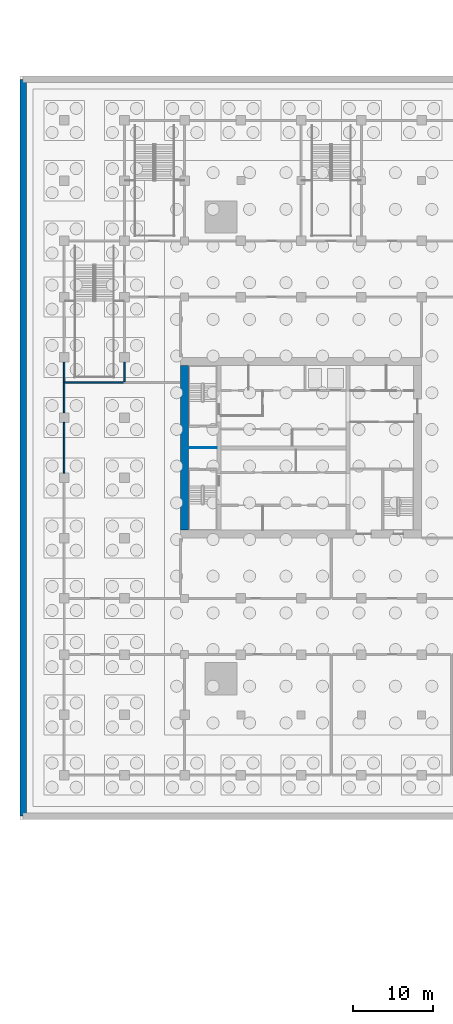
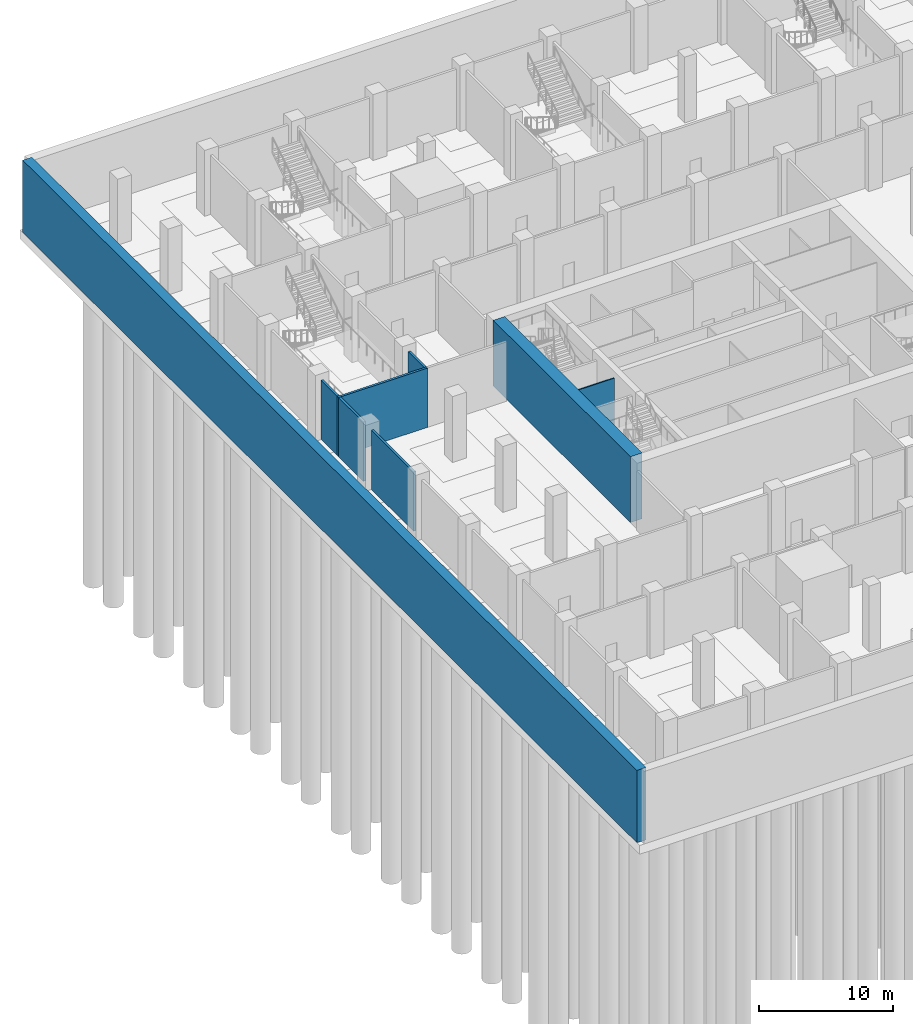
# One storey, part 9 of 39: 8 walls.
"""IFC4 building model written with IfcOpenShell, lengths in metres."""

from ifc_helpers import new_model, si_unit, direction, frame, frame_2d, origin, place, context, subcontext, project, spatial, rectangle, extrude, material, layer, layer_set, type_object, element, save


model = new_model("IFC4")

# Units and contexts
model_context = context("Model", 3, precision=1e-05, world=origin(), true_north=direction((0.0, 1.0)))
body_context = subcontext(model_context, "Body", "Model", "MODEL_VIEW")
ifc_project = project(units=[si_unit("LENGTHUNIT", "METRE"), si_unit("AREAUNIT", "SQUARE_METRE"), si_unit("VOLUMEUNIT", "CUBIC_METRE"), si_unit("PLANEANGLEUNIT", "RADIAN"), si_unit("MASSUNIT", "GRAM", prefix="KILO")], contexts=[model_context])

# Site, building, storey
site_placement = place(None, origin())
site = spatial("IfcSite", under=ifc_project, at=site_placement, CompositionType="ELEMENT")
building_placement = place(site_placement, origin())
building = spatial("IfcBuilding", under=site, at=building_placement, Name="Tamorin Gate", CompositionType="ELEMENT")
storey_placement = place(building_placement, frame((0.0, 0.0, -12.0)))
storey = spatial("IfcBuildingStorey", under=building, at=storey_placement, Name="B2", CompositionType="ELEMENT", Elevation=-12.0)

# Walls
ifc_material_1 = material(Name="Concrete masonry C20/25", Category="masonry")
ifc_layer_1 = layer(ifc_material_1, 0.199951171875)
ifc_layer_set_1 = layer_set([ifc_layer_1], Name="Plant room wall 200")
wall_type_1 = type_object("IfcWallType", Name="Plant room wall 200", PredefinedType="PARTITIONING", material=ifc_layer_set_1)
wall_1_placement = place(storey_placement, frame((15.5, 68.10009765625, 0.0), z_axis=(0.0, 0.0, 1.0), x_axis=(0.0, 1.0, 0.0)))
element("IfcWall", 1, at=wall_1_placement, inside=storey, type_object=wall_type_1, Name="Plant room wall 200 B2", PredefinedType="PARTITIONING", context=body_context, shape_type="SweptSolid", body=[
    extrude(rectangle(XDim=6.2998046875, YDim=0.199951171875, at=frame_2d((3.14990234375, 0.0))), origin(), (0.0, 0.0, 1.0), 5.39990234375),
])
wall_2_placement = place(storey_placement, frame((15.5, 75.60009765625, 0.0), z_axis=(0.0, 0.0, 1.0), x_axis=(0.0, 1.0, 0.0)))
element("IfcWall", 2, at=wall_2_placement, inside=storey, type_object=wall_type_1, Name="Plant room wall 200 B2", PredefinedType="PARTITIONING", context=body_context, shape_type="SweptSolid", body=[
    extrude(rectangle(XDim=3.699951171875, YDim=0.199951171875, at=frame_2d((1.85009765625, 0.0))), origin(), (0.0, 0.0, 1.0), 5.39990234375),
])
ifc_material_2 = material(Name="Concrete C40/50", Category="concrete")
ifc_layer_2 = layer(ifc_material_2, 0.800048828125)
ifc_layer_set_2 = layer_set([ifc_layer_2], Name="RC basement wall 800 C40/50")
wall_type_2 = type_object("IfcWallType", Name="RC basement wall 800 C40/50", PredefinedType="SHEAR", material=ifc_layer_set_2)
wall_3_placement = place(storey_placement, frame((10.39990234375, 25.39990234375, -0.60009765625), z_axis=(0.0, 0.0, 1.0), x_axis=(0.0, 1.0, 0.0)))
element("IfcWall", 3, at=wall_3_placement, inside=storey, type_object=wall_type_2, Name="Basement wall B2", PredefinedType="SHEAR", context=body_context, shape_type="SweptSolid", body=[
    extrude(rectangle(XDim=91.7001953125, YDim=0.800048828125, at=frame_2d((45.85009765625, 0.0))), origin(), (0.0, 0.0, 1.0), 6.60009765625),
])
ifc_material_3 = material(Name="Concrete C80/95", Category="concrete")
ifc_layer_3 = layer(ifc_material_3, 1.0)
ifc_layer_set_3 = layer_set([ifc_layer_3], Name="RC core wall 1000 C80/95")
wall_type_3 = type_object("IfcWallType", Name="RC core wall 1000 C80/95", PredefinedType="SHEAR", material=ifc_layer_set_3)
wall_4_placement = place(storey_placement, frame((30.5, 61.0, 0.0), z_axis=(0.0, 0.0, 1.0), x_axis=(0.0, 1.0, 0.0)))
element("IfcWall", 4, at=wall_4_placement, inside=storey, type_object=wall_type_3, Name="Core wall B2", PredefinedType="SHEAR", context=body_context, shape_type="SweptSolid", body=[
    extrude(rectangle(XDim=20.5, YDim=1.0, at=frame_2d((10.25, 0.0))), origin(), (0.0, 0.0, 1.0), 6.0),
])
ifc_material_4 = material(Name="Fire-rated gypsum board partition")
ifc_layer_4 = layer(ifc_material_4, 0.10009765625)
ifc_layer_set_4 = layer_set([ifc_layer_4], Name="Riser partition 100 EI 120")
wall_type_4 = type_object("IfcWallType", Name="Riser partition 100 EI 120", PredefinedType="PARTITIONING", material=ifc_layer_set_4)
wall_5_placement = place(storey_placement, frame((31.0, 71.25, 0.0), z_axis=(0.0, 0.0, 1.0), x_axis=(1.0, 0.0, 0.0)))
element("IfcWall", 5, at=wall_5_placement, inside=storey, type_object=wall_type_4, Name="Riser partition", PredefinedType="PARTITIONING", context=body_context, shape_type="SweptSolid", body=[
    extrude(rectangle(XDim=3.5, YDim=0.10009765625, at=frame_2d((1.75, 0.0))), origin(), (0.0, 0.0, 1.0), 5.39990234375),
])
ifc_layer_5 = layer(ifc_material_2, 0.199951171875)
ifc_layer_set_5 = layer_set([ifc_layer_5], Name="Stair enclosure 200")
wall_type_5 = type_object("IfcWallType", Name="Stair enclosure 200", PredefinedType="SHEAR", material=ifc_layer_set_5)
wall_6_placement = place(storey_placement, frame((15.39990234375, 79.39990234375, 0.0), z_axis=(0.0, 0.0, 1.0), x_axis=(1.0, 0.0, 0.0)))
element("IfcWall", 6, at=wall_6_placement, inside=storey, type_object=wall_type_5, Name="Stair enclosure 200 B2", PredefinedType="SHEAR", context=body_context, shape_type="SweptSolid", body=[
    extrude(rectangle(XDim=7.7001953125, YDim=0.199951171875, at=frame_2d((3.85009765625, 0.0))), origin(), (0.0, 0.0, 1.0), 5.39990234375),
])
for number, where, z_axis, x_axis, name in (
    (7, (15.5, 79.5, 0.0), (0.0, 0.0, 1.0), (0.0, 1.0, 0.0), "Stair enclosure 200 B2"),
    (8, (23.0, 79.5, 0.0), (0.0, 0.0, 1.0), (0.0, 1.0, 0.0), "Stair enclosure 200 B2"),
):
    element("IfcWall", number, at=place(storey_placement, frame(where, z_axis=z_axis, x_axis=x_axis)), inside=storey, type_object=wall_type_5, Name=name, PredefinedType="SHEAR", context=body_context, shape_type="SweptSolid", body=[
        extrude(rectangle(XDim=2.39990234375, YDim=0.199951171875, at=frame_2d((1.199951171875, 0.0))), origin(), (0.0, 0.0, 1.0), 5.39990234375),
    ])

save(model, "model.ifc")
